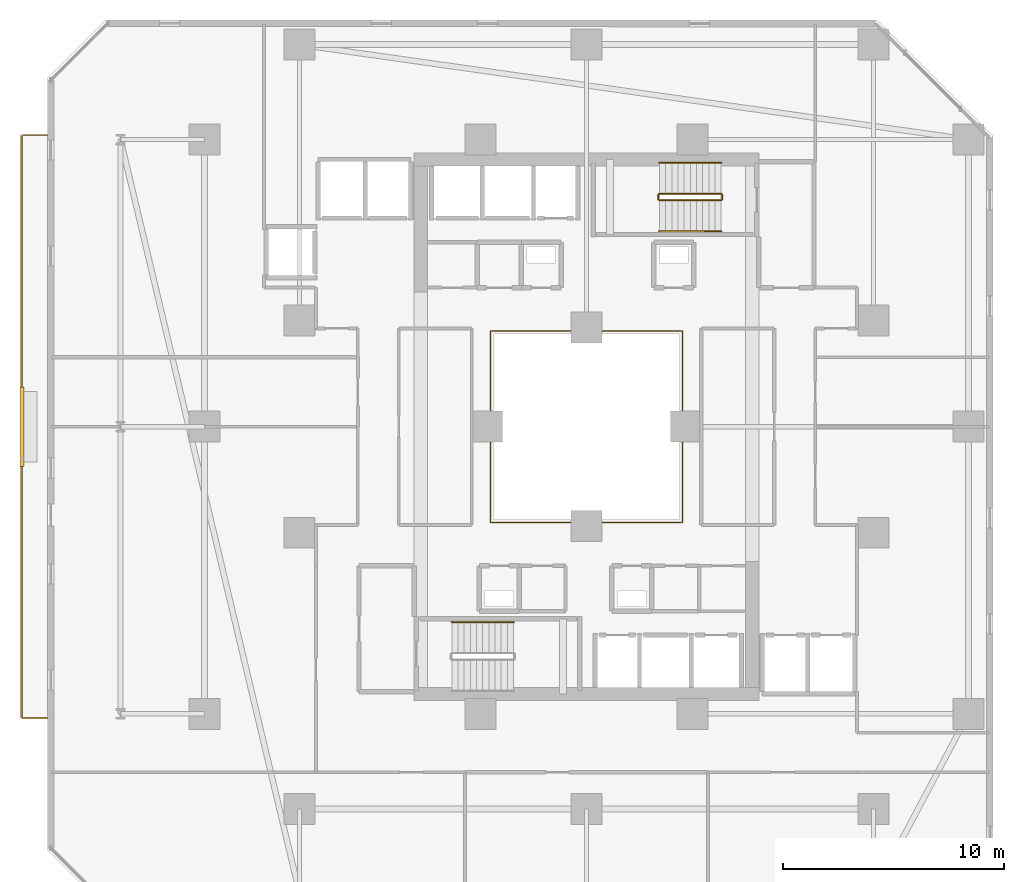
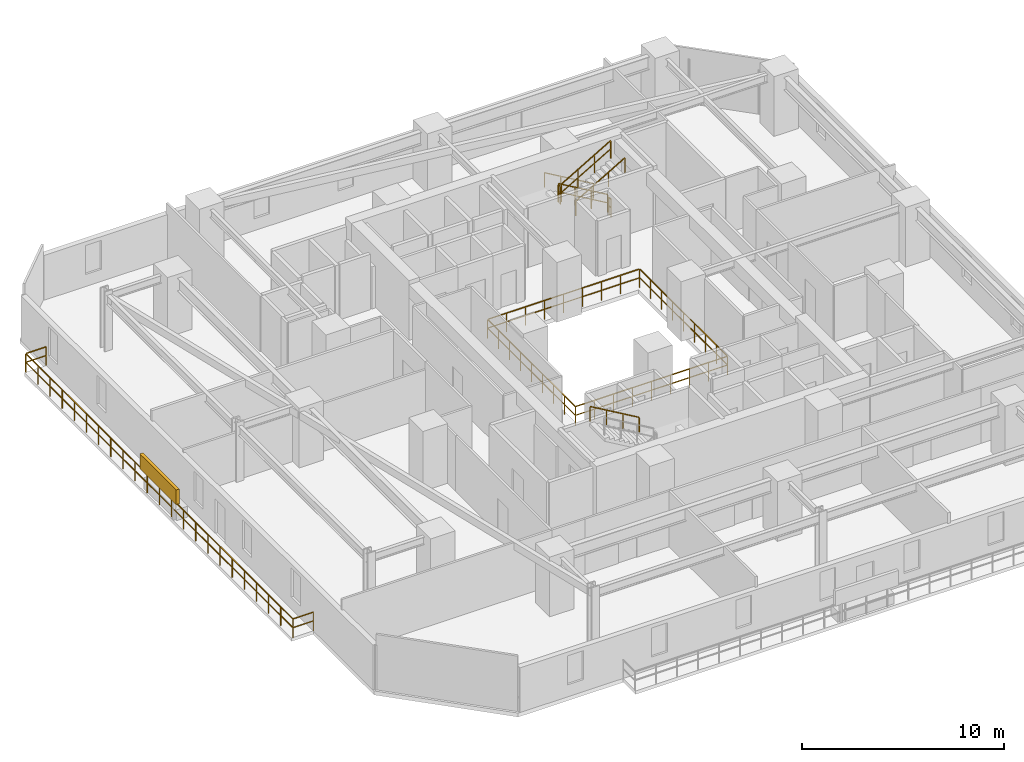
# One storey, part 30 of 33: 9 railings, 1 shading device.
"""IFC4 building model written with IfcOpenShell, lengths in metres."""

from ifc_helpers import new_model, si_unit, direction, frame, origin, origin_2d, place, context, subcontext, project, spatial, rectangle, extrude, material, type_object, element, save


model = new_model("IFC4")

# Units and contexts
model_context = context("Model", 3, precision=1e-05, world=origin(), true_north=direction((0.0, 1.0)))
body_context = subcontext(model_context, "Body", "Model", "MODEL_VIEW")
ifc_project = project(units=[si_unit("LENGTHUNIT", "METRE"), si_unit("AREAUNIT", "SQUARE_METRE"), si_unit("VOLUMEUNIT", "CUBIC_METRE"), si_unit("PLANEANGLEUNIT", "RADIAN"), si_unit("MASSUNIT", "GRAM", prefix="KILO")], contexts=[model_context])

# Site, building, storey
site_placement = place(None, origin())
site = spatial("IfcSite", under=ifc_project, at=site_placement, CompositionType="ELEMENT")
building_placement = place(site_placement, origin())
building = spatial("IfcBuilding", under=site, at=building_placement, Name="Thornwick Lancets Civic Towers", CompositionType="ELEMENT")
storey_placement = place(building_placement, frame((0.0, 0.0, 38.699951171875)))
storey = spatial("IfcBuildingStorey", under=building, at=storey_placement, Name="L09", CompositionType="ELEMENT", Elevation=38.699951171875)

# Railings
ifc_material_1 = material(Name="Laminated glass and bronze steel S355", Category="steel")
railing_type_1 = type_object("IfcRailingType", Name="RAIL_ATRIUM_GUARD", PredefinedType="BALUSTRADE", material=ifc_material_1)
railing_1_placement = place(storey_placement, frame((21.159912109375, 22.659912109375, 0.0)))
element("IfcRailing", 1, at=railing_1_placement, inside=storey, type_object=railing_type_1, Name="L09 Tower A Central Atrium Guard Balustrade", PredefinedType="BALUSTRADE", context=body_context, shape_type="SweptSolid", body=[
    extrude(rectangle(XDim=0.048095703125, YDim=0.048095703125, at=origin_2d()), frame((0.0, 0.0, 1.1259765625), z_axis=(1.0, 0.0, 0.0), x_axis=(0.0, 1.0, 0.0)), (0.0, 0.0, 1.0), 8.64892578125),
    extrude(rectangle(XDim=0.0419921875, YDim=0.0419921875, at=origin_2d()), frame((0.03759765625, 0.0, 0.597900390625), z_axis=(1.0, 0.0, 0.0), x_axis=(0.0, 1.0, 0.0)), (0.0, 0.0, 1.0), 1.010009765625),
    extrude(rectangle(XDim=0.0419921875, YDim=0.0419921875, at=origin_2d()), frame((1.12255859375, 0.0, 0.597900390625), z_axis=(1.0, 0.0, 0.0), x_axis=(0.0, 1.0, 0.0)), (0.0, 0.0, 1.0), 1.010009765625),
    extrude(rectangle(XDim=0.0419921875, YDim=0.0419921875, at=origin_2d()), frame((2.20751953125, 0.0, 0.597900390625), z_axis=(1.0, 0.0, 0.0), x_axis=(0.0, 1.0, 0.0)), (0.0, 0.0, 1.0), 1.010009765625),
    extrude(rectangle(XDim=0.0419921875, YDim=0.0419921875, at=origin_2d()), frame((3.29248046875, 0.0, 0.597900390625), z_axis=(1.0, 0.0, 0.0), x_axis=(0.0, 1.0, 0.0)), (0.0, 0.0, 1.0), 1.010009765625),
    extrude(rectangle(XDim=0.0419921875, YDim=0.0419921875, at=origin_2d()), frame((4.377685546875, 0.0, 0.597900390625), z_axis=(1.0, 0.0, 0.0), x_axis=(0.0, 1.0, 0.0)), (0.0, 0.0, 1.0), 1.010009765625),
    extrude(rectangle(XDim=0.0419921875, YDim=0.0419921875, at=origin_2d()), frame((5.462646484375, 0.0, 0.597900390625), z_axis=(1.0, 0.0, 0.0), x_axis=(0.0, 1.0, 0.0)), (0.0, 0.0, 1.0), 1.010009765625),
    extrude(rectangle(XDim=0.0419921875, YDim=0.0419921875, at=origin_2d()), frame((6.547607421875, 0.0, 0.597900390625), z_axis=(1.0, 0.0, 0.0), x_axis=(0.0, 1.0, 0.0)), (0.0, 0.0, 1.0), 1.010009765625),
    extrude(rectangle(XDim=0.0419921875, YDim=0.0419921875, at=origin_2d()), frame((7.632568359375, 0.0, 0.597900390625), z_axis=(1.0, 0.0, 0.0), x_axis=(0.0, 1.0, 0.0)), (0.0, 0.0, 1.0), 1.010009765625),
    extrude(rectangle(XDim=0.048095703125, YDim=0.048095703125, at=origin_2d()), frame((8.68017578125, 0.03125, 1.1259765625), z_axis=(0.0, 1.0, 0.0), x_axis=(-1.0, 0.0, 0.0)), (0.0, 0.0, 1.0), 8.61767578125),
    extrude(rectangle(XDim=0.0419921875, YDim=0.0419921875, at=origin_2d()), frame((8.68017578125, 0.03759765625, 0.597900390625), z_axis=(0.0, 1.0, 0.0), x_axis=(-1.0, 0.0, 0.0)), (0.0, 0.0, 1.0), 1.010009765625),
    extrude(rectangle(XDim=0.0419921875, YDim=0.0419921875, at=origin_2d()), frame((8.68017578125, 1.12255859375, 0.597900390625), z_axis=(0.0, 1.0, 0.0), x_axis=(-1.0, 0.0, 0.0)), (0.0, 0.0, 1.0), 1.010009765625),
    extrude(rectangle(XDim=0.0419921875, YDim=0.0419921875, at=origin_2d()), frame((8.68017578125, 2.20751953125, 0.597900390625), z_axis=(0.0, 1.0, 0.0), x_axis=(-1.0, 0.0, 0.0)), (0.0, 0.0, 1.0), 1.010009765625),
    extrude(rectangle(XDim=0.0419921875, YDim=0.0419921875, at=origin_2d()), frame((8.68017578125, 3.29248046875, 0.597900390625), z_axis=(0.0, 1.0, 0.0), x_axis=(-1.0, 0.0, 0.0)), (0.0, 0.0, 1.0), 1.010009765625),
    extrude(rectangle(XDim=0.0419921875, YDim=0.0419921875, at=origin_2d()), frame((8.68017578125, 4.377685546875, 0.597900390625), z_axis=(0.0, 1.0, 0.0), x_axis=(-1.0, 0.0, 0.0)), (0.0, 0.0, 1.0), 1.010009765625),
    extrude(rectangle(XDim=0.0419921875, YDim=0.0419921875, at=origin_2d()), frame((8.68017578125, 5.462646484375, 0.597900390625), z_axis=(0.0, 1.0, 0.0), x_axis=(-1.0, 0.0, 0.0)), (0.0, 0.0, 1.0), 1.010009765625),
    extrude(rectangle(XDim=0.0419921875, YDim=0.0419921875, at=origin_2d()), frame((8.68017578125, 6.547607421875, 0.597900390625), z_axis=(0.0, 1.0, 0.0), x_axis=(-1.0, 0.0, 0.0)), (0.0, 0.0, 1.0), 1.010009765625),
    extrude(rectangle(XDim=0.0419921875, YDim=0.0419921875, at=origin_2d()), frame((8.68017578125, 7.632568359375, 0.597900390625), z_axis=(0.0, 1.0, 0.0), x_axis=(-1.0, 0.0, 0.0)), (0.0, 0.0, 1.0), 1.010009765625),
    extrude(rectangle(XDim=0.048095703125, YDim=0.048095703125, at=origin_2d()), frame((8.64892578125, 8.68017578125, 1.1259765625), z_axis=(-1.0, 0.0, 0.0), x_axis=(0.0, -1.0, 0.0)), (0.0, 0.0, 1.0), 8.61767578125),
    extrude(rectangle(XDim=0.0419921875, YDim=0.0419921875, at=origin_2d()), frame((8.642578125, 8.68017578125, 0.597900390625), z_axis=(-1.0, 0.0, 0.0), x_axis=(0.0, -1.0, 0.0)), (0.0, 0.0, 1.0), 1.010009765625),
    extrude(rectangle(XDim=0.0419921875, YDim=0.0419921875, at=origin_2d()), frame((7.5576171875, 8.68017578125, 0.597900390625), z_axis=(-1.0, 0.0, 0.0), x_axis=(0.0, -1.0, 0.0)), (0.0, 0.0, 1.0), 1.010009765625),
    extrude(rectangle(XDim=0.0419921875, YDim=0.0419921875, at=origin_2d()), frame((6.47265625, 8.68017578125, 0.597900390625), z_axis=(-1.0, 0.0, 0.0), x_axis=(0.0, -1.0, 0.0)), (0.0, 0.0, 1.0), 1.010009765625),
    extrude(rectangle(XDim=0.0419921875, YDim=0.0419921875, at=origin_2d()), frame((5.3876953125, 8.68017578125, 0.597900390625), z_axis=(-1.0, 0.0, 0.0), x_axis=(0.0, -1.0, 0.0)), (0.0, 0.0, 1.0), 1.010009765625),
    extrude(rectangle(XDim=0.0419921875, YDim=0.0419921875, at=origin_2d()), frame((4.302490234375, 8.68017578125, 0.597900390625), z_axis=(-1.0, 0.0, 0.0), x_axis=(0.0, -1.0, 0.0)), (0.0, 0.0, 1.0), 1.010009765625),
    extrude(rectangle(XDim=0.0419921875, YDim=0.0419921875, at=origin_2d()), frame((3.217529296875, 8.68017578125, 0.597900390625), z_axis=(-1.0, 0.0, 0.0), x_axis=(0.0, -1.0, 0.0)), (0.0, 0.0, 1.0), 1.010009765625),
    extrude(rectangle(XDim=0.0419921875, YDim=0.0419921875, at=origin_2d()), frame((2.132568359375, 8.68017578125, 0.597900390625), z_axis=(-1.0, 0.0, 0.0), x_axis=(0.0, -1.0, 0.0)), (0.0, 0.0, 1.0), 1.010009765625),
    extrude(rectangle(XDim=0.0419921875, YDim=0.0419921875, at=origin_2d()), frame((1.047607421875, 8.68017578125, 0.597900390625), z_axis=(-1.0, 0.0, 0.0), x_axis=(0.0, -1.0, 0.0)), (0.0, 0.0, 1.0), 1.010009765625),
    extrude(rectangle(XDim=0.048095703125, YDim=0.048095703125, at=origin_2d()), frame((0.0, 8.64892578125, 1.1259765625), z_axis=(0.0, -1.0, 0.0), x_axis=(1.0, 0.0, 0.0)), (0.0, 0.0, 1.0), 8.64892578125),
    extrude(rectangle(XDim=0.0419921875, YDim=0.0419921875, at=origin_2d()), frame((0.0, 8.642578125, 0.597900390625), z_axis=(0.0, -1.0, 0.0), x_axis=(1.0, 0.0, 0.0)), (0.0, 0.0, 1.0), 1.010009765625),
    extrude(rectangle(XDim=0.0419921875, YDim=0.0419921875, at=origin_2d()), frame((0.0, 7.5576171875, 0.597900390625), z_axis=(0.0, -1.0, 0.0), x_axis=(1.0, 0.0, 0.0)), (0.0, 0.0, 1.0), 1.010009765625),
    extrude(rectangle(XDim=0.0419921875, YDim=0.0419921875, at=origin_2d()), frame((0.0, 6.47265625, 0.597900390625), z_axis=(0.0, -1.0, 0.0), x_axis=(1.0, 0.0, 0.0)), (0.0, 0.0, 1.0), 1.010009765625),
    extrude(rectangle(XDim=0.0419921875, YDim=0.0419921875, at=origin_2d()), frame((0.0, 5.3876953125, 0.597900390625), z_axis=(0.0, -1.0, 0.0), x_axis=(1.0, 0.0, 0.0)), (0.0, 0.0, 1.0), 1.010009765625),
    extrude(rectangle(XDim=0.0419921875, YDim=0.0419921875, at=origin_2d()), frame((0.0, 4.302490234375, 0.597900390625), z_axis=(0.0, -1.0, 0.0), x_axis=(1.0, 0.0, 0.0)), (0.0, 0.0, 1.0), 1.010009765625),
    extrude(rectangle(XDim=0.0419921875, YDim=0.0419921875, at=origin_2d()), frame((0.0, 3.217529296875, 0.597900390625), z_axis=(0.0, -1.0, 0.0), x_axis=(1.0, 0.0, 0.0)), (0.0, 0.0, 1.0), 1.010009765625),
    extrude(rectangle(XDim=0.0419921875, YDim=0.0419921875, at=origin_2d()), frame((0.0, 2.132568359375, 0.597900390625), z_axis=(0.0, -1.0, 0.0), x_axis=(1.0, 0.0, 0.0)), (0.0, 0.0, 1.0), 1.010009765625),
    extrude(rectangle(XDim=0.0419921875, YDim=0.0419921875, at=origin_2d()), frame((0.0, 1.047607421875, 0.597900390625), z_axis=(0.0, -1.0, 0.0), x_axis=(1.0, 0.0, 0.0)), (0.0, 0.0, 1.0), 1.010009765625),
    extrude(rectangle(XDim=0.0419921875, YDim=0.0419921875, at=origin_2d()), origin(), (0.0, 0.0, 1.0), 1.095703125),
    extrude(rectangle(XDim=0.0419921875, YDim=0.0419921875, at=origin_2d()), frame((1.0849609375, 0.0, 0.0)), (0.0, 0.0, 1.0), 1.095703125),
    extrude(rectangle(XDim=0.0419921875, YDim=0.0419921875, at=origin_2d()), frame((2.169921875, 0.0, 0.0)), (0.0, 0.0, 1.0), 1.095703125),
    extrude(rectangle(XDim=0.0419921875, YDim=0.0419921875, at=origin_2d()), frame((3.255126953125, 0.0, 0.0)), (0.0, 0.0, 1.0), 1.095703125),
    extrude(rectangle(XDim=0.0419921875, YDim=0.0419921875, at=origin_2d()), frame((4.340087890625, 0.0, 0.0)), (0.0, 0.0, 1.0), 1.095703125),
    extrude(rectangle(XDim=0.0419921875, YDim=0.0419921875, at=origin_2d()), frame((5.425048828125, 0.0, 0.0)), (0.0, 0.0, 1.0), 1.095703125),
    extrude(rectangle(XDim=0.0419921875, YDim=0.0419921875, at=origin_2d()), frame((6.51025390625, 0.0, 0.0)), (0.0, 0.0, 1.0), 1.095703125),
    extrude(rectangle(XDim=0.0419921875, YDim=0.0419921875, at=origin_2d()), frame((7.59521484375, 0.0, 0.0)), (0.0, 0.0, 1.0), 1.095703125),
    extrude(rectangle(XDim=0.0419921875, YDim=0.0419921875, at=origin_2d()), frame((8.68017578125, 0.0, 0.0)), (0.0, 0.0, 1.0), 1.095703125),
    extrude(rectangle(XDim=0.0419921875, YDim=0.0419921875, at=origin_2d()), frame((8.68017578125, 1.0849609375, 0.0)), (0.0, 0.0, 1.0), 1.095703125),
    extrude(rectangle(XDim=0.0419921875, YDim=0.0419921875, at=origin_2d()), frame((8.68017578125, 2.169921875, 0.0)), (0.0, 0.0, 1.0), 1.095703125),
    extrude(rectangle(XDim=0.0419921875, YDim=0.0419921875, at=origin_2d()), frame((8.68017578125, 3.255126953125, 0.0)), (0.0, 0.0, 1.0), 1.095703125),
    extrude(rectangle(XDim=0.0419921875, YDim=0.0419921875, at=origin_2d()), frame((8.68017578125, 4.340087890625, 0.0)), (0.0, 0.0, 1.0), 1.095703125),
    extrude(rectangle(XDim=0.0419921875, YDim=0.0419921875, at=origin_2d()), frame((8.68017578125, 5.425048828125, 0.0)), (0.0, 0.0, 1.0), 1.095703125),
    extrude(rectangle(XDim=0.0419921875, YDim=0.0419921875, at=origin_2d()), frame((8.68017578125, 6.51025390625, 0.0)), (0.0, 0.0, 1.0), 1.095703125),
    extrude(rectangle(XDim=0.0419921875, YDim=0.0419921875, at=origin_2d()), frame((8.68017578125, 7.59521484375, 0.0)), (0.0, 0.0, 1.0), 1.095703125),
    extrude(rectangle(XDim=0.0419921875, YDim=0.0419921875, at=origin_2d()), frame((8.68017578125, 8.68017578125, 0.0)), (0.0, 0.0, 1.0), 1.095703125),
    extrude(rectangle(XDim=0.0419921875, YDim=0.0419921875, at=origin_2d()), frame((7.59521484375, 8.68017578125, 0.0)), (0.0, 0.0, 1.0), 1.095703125),
    extrude(rectangle(XDim=0.0419921875, YDim=0.0419921875, at=origin_2d()), frame((6.51025390625, 8.68017578125, 0.0)), (0.0, 0.0, 1.0), 1.095703125),
    extrude(rectangle(XDim=0.0419921875, YDim=0.0419921875, at=origin_2d()), frame((5.425048828125, 8.68017578125, 0.0)), (0.0, 0.0, 1.0), 1.095703125),
    extrude(rectangle(XDim=0.0419921875, YDim=0.0419921875, at=origin_2d()), frame((4.340087890625, 8.68017578125, 0.0)), (0.0, 0.0, 1.0), 1.095703125),
    extrude(rectangle(XDim=0.0419921875, YDim=0.0419921875, at=origin_2d()), frame((3.255126953125, 8.68017578125, 0.0)), (0.0, 0.0, 1.0), 1.095703125),
    extrude(rectangle(XDim=0.0419921875, YDim=0.0419921875, at=origin_2d()), frame((2.169921875, 8.68017578125, 0.0)), (0.0, 0.0, 1.0), 1.095703125),
    extrude(rectangle(XDim=0.0419921875, YDim=0.0419921875, at=origin_2d()), frame((1.0849609375, 8.68017578125, 0.0)), (0.0, 0.0, 1.0), 1.095703125),
    extrude(rectangle(XDim=0.0419921875, YDim=0.0419921875, at=origin_2d()), frame((0.0, 8.68017578125, 0.0)), (0.0, 0.0, 1.0), 1.095703125),
    extrude(rectangle(XDim=0.0419921875, YDim=0.0419921875, at=origin_2d()), frame((0.0, 7.59521484375, 0.0)), (0.0, 0.0, 1.0), 1.095703125),
    extrude(rectangle(XDim=0.0419921875, YDim=0.0419921875, at=origin_2d()), frame((0.0, 6.51025390625, 0.0)), (0.0, 0.0, 1.0), 1.095703125),
    extrude(rectangle(XDim=0.0419921875, YDim=0.0419921875, at=origin_2d()), frame((0.0, 5.425048828125, 0.0)), (0.0, 0.0, 1.0), 1.095703125),
    extrude(rectangle(XDim=0.0419921875, YDim=0.0419921875, at=origin_2d()), frame((0.0, 4.340087890625, 0.0)), (0.0, 0.0, 1.0), 1.095703125),
    extrude(rectangle(XDim=0.0419921875, YDim=0.0419921875, at=origin_2d()), frame((0.0, 3.255126953125, 0.0)), (0.0, 0.0, 1.0), 1.095703125),
    extrude(rectangle(XDim=0.0419921875, YDim=0.0419921875, at=origin_2d()), frame((0.0, 2.169921875, 0.0)), (0.0, 0.0, 1.0), 1.095703125),
    extrude(rectangle(XDim=0.0419921875, YDim=0.0419921875, at=origin_2d()), frame((0.0, 1.0849609375, 0.0)), (0.0, 0.0, 1.0), 1.095703125),
])
ifc_material_2 = material(Name="Brushed stainless steel S355", Category="steel")
railing_type_2 = type_object("IfcRailingType", Name="RAIL_HANDRAIL", PredefinedType="HANDRAIL", material=ifc_material_2)
for number, where, name in (
    (2, (22.199951171875, 18.14990234375, 1.963623046875), "L09 ST-A1 stair handrail 2"),
    (3, (31.60009765625, 38.949951171875, 0.16357421875), "L09 ST-A2 stair handrail 1"),
):
    element("IfcRailing", number, at=place(storey_placement, frame(where)), inside=storey, type_object=railing_type_2, Name=name, PredefinedType="HANDRAIL", context=body_context, shape_type="SweptSolid", body=[
        extrude(rectangle(XDim=0.048095703125, YDim=0.048095703125, at=origin_2d()), frame((0.0, 0.0, 0.8857421875), z_axis=(-0.863360870873, 0.0, 0.504586966384), x_axis=(0.0, -1.0, 0.0)), (0.0, 0.0, 1.0), 3.2431640625),
        extrude(rectangle(XDim=0.0419921875, YDim=0.0419921875, at=origin_2d()), origin(), (0.0, 0.0, 1.0), 0.855712890625),
        extrude(rectangle(XDim=0.0419921875, YDim=0.0419921875, at=origin_2d()), frame((-0.933349609375, 0.0, 0.54541015625)), (0.0, 0.0, 1.0), 0.855712890625),
        extrude(rectangle(XDim=0.0419921875, YDim=0.0419921875, at=origin_2d()), frame((-1.86669921875, 0.0, 1.091064453125)), (0.0, 0.0, 1.0), 0.855712890625),
        extrude(rectangle(XDim=0.0419921875, YDim=0.0419921875, at=origin_2d()), frame((-2.800048828125, 0.0, 1.636474609375)), (0.0, 0.0, 1.0), 0.855712890625),
    ])
railing_2_placement = place(storey_placement, frame((28.800048828125, 35.85009765625, 1.963623046875)))
element("IfcRailing", 4, at=railing_2_placement, inside=storey, type_object=railing_type_2, Name="L09 ST-A2 stair handrail 2", PredefinedType="HANDRAIL", context=body_context, shape_type="SweptSolid", body=[
    extrude(rectangle(XDim=0.048095703125, YDim=0.048095703125, at=origin_2d()), frame((0.0, 0.0, 0.8857421875), z_axis=(0.863360870873, 0.0, 0.504586966384), x_axis=(0.0, 1.0, 0.0)), (0.0, 0.0, 1.0), 3.2431640625),
    extrude(rectangle(XDim=0.0419921875, YDim=0.0419921875, at=origin_2d()), origin(), (0.0, 0.0, 1.0), 0.855712890625),
    extrude(rectangle(XDim=0.0419921875, YDim=0.0419921875, at=origin_2d()), frame((0.933349609375, 0.0, 0.54541015625)), (0.0, 0.0, 1.0), 0.855712890625),
    extrude(rectangle(XDim=0.0419921875, YDim=0.0419921875, at=origin_2d()), frame((1.86669921875, 0.0, 1.091064453125)), (0.0, 0.0, 1.0), 0.855712890625),
    extrude(rectangle(XDim=0.0419921875, YDim=0.0419921875, at=origin_2d()), frame((2.800048828125, 0.0, 1.636474609375)), (0.0, 0.0, 1.0), 0.855712890625),
])
ifc_material_3 = material(Name="Steel S355JR", Category="steel")
railing_type_3 = type_object("IfcRailingType", Name="RAIL_STAIR_GUARD", PredefinedType="GUARDRAIL", material=ifc_material_3)
railing_3_placement = place(storey_placement, frame((31.60009765625, 37.550048828125, 0.16357421875)))
element("IfcRailing", 5, at=railing_3_placement, inside=storey, type_object=railing_type_3, Name="L09 ST-A2 stair guard 1", PredefinedType="GUARDRAIL", context=body_context, shape_type="SweptSolid", body=[
    extrude(rectangle(XDim=0.048095703125, YDim=0.048095703125, at=origin_2d()), frame((0.0, 0.0, 1.076171875), z_axis=(-0.863360870873, 0.0, 0.504586966384), x_axis=(0.0, -1.0, 0.0)), (0.0, 0.0, 1.0), 3.2431640625),
    extrude(rectangle(XDim=0.0419921875, YDim=0.0419921875, at=origin_2d()), frame((-0.032470703125, 0.0, 0.591064453125), z_axis=(-0.863360870873, 0.0, 0.504586966384), x_axis=(0.0, -1.0, 0.0)), (0.0, 0.0, 1.0), 1.006103515625),
    extrude(rectangle(XDim=0.0419921875, YDim=0.0419921875, at=origin_2d()), frame((-0.9658203125, 0.0, 1.136474609375), z_axis=(-0.863360870873, 0.0, 0.504586966384), x_axis=(0.0, -1.0, 0.0)), (0.0, 0.0, 1.0), 1.006103515625),
    extrude(rectangle(XDim=0.0419921875, YDim=0.0419921875, at=origin_2d()), frame((-1.899169921875, 0.0, 1.681884765625), z_axis=(-0.863360870873, 0.0, 0.504586966384), x_axis=(0.0, -1.0, 0.0)), (0.0, 0.0, 1.0), 1.006103515625),
    extrude(rectangle(XDim=0.0419921875, YDim=0.0419921875, at=origin_2d()), origin(), (0.0, 0.0, 1.0), 1.0458984375),
    extrude(rectangle(XDim=0.0419921875, YDim=0.0419921875, at=origin_2d()), frame((-0.933349609375, 0.0, 0.54541015625)), (0.0, 0.0, 1.0), 1.0458984375),
    extrude(rectangle(XDim=0.0419921875, YDim=0.0419921875, at=origin_2d()), frame((-1.86669921875, 0.0, 1.091064453125)), (0.0, 0.0, 1.0), 1.0458984375),
    extrude(rectangle(XDim=0.0419921875, YDim=0.0419921875, at=origin_2d()), frame((-2.800048828125, 0.0, 1.636474609375)), (0.0, 0.0, 1.0), 1.0458984375),
])
railing_4_placement = place(storey_placement, frame((28.75, 37.5, 1.800048828125)))
element("IfcRailing", 6, at=railing_4_placement, inside=storey, type_object=railing_type_3, Name="L09 ST-A2 stair guard 2", PredefinedType="GUARDRAIL", context=body_context, shape_type="SweptSolid", body=[
    extrude(rectangle(XDim=0.048095703125, YDim=0.048095703125, at=origin_2d()), frame((0.0, 0.0, 1.076171875), z_axis=(0.0, -1.0, 0.0), x_axis=(1.0, 0.0, 0.0)), (0.0, 0.0, 1.0), 0.199951171875),
    extrude(rectangle(XDim=0.0419921875, YDim=0.0419921875, at=origin_2d()), frame((0.0, -0.03759765625, 0.572021484375), z_axis=(0.0, -1.0, 0.0), x_axis=(1.0, 0.0, 0.0)), (0.0, 0.0, 1.0), 0.125),
    extrude(rectangle(XDim=0.0419921875, YDim=0.0419921875, at=origin_2d()), origin(), (0.0, 0.0, 1.0), 1.0458984375),
    extrude(rectangle(XDim=0.0419921875, YDim=0.0419921875, at=origin_2d()), frame((0.0, -0.199951171875, 0.0)), (0.0, 0.0, 1.0), 1.0458984375),
])
railing_5_placement = place(storey_placement, frame((28.800048828125, 37.25, 1.963623046875)))
element("IfcRailing", 7, at=railing_5_placement, inside=storey, type_object=railing_type_3, Name="L09 ST-A2 stair guard 3", PredefinedType="GUARDRAIL", context=body_context, shape_type="SweptSolid", body=[
    extrude(rectangle(XDim=0.048095703125, YDim=0.048095703125, at=origin_2d()), frame((0.0, 0.0, 1.076171875), z_axis=(0.863360870873, 0.0, 0.504586966384), x_axis=(0.0, 1.0, 0.0)), (0.0, 0.0, 1.0), 3.2431640625),
    extrude(rectangle(XDim=0.0419921875, YDim=0.0419921875, at=origin_2d()), frame((0.032470703125, 0.0, 0.591064453125), z_axis=(0.863360870873, 0.0, 0.504586966384), x_axis=(0.0, 1.0, 0.0)), (0.0, 0.0, 1.0), 1.006103515625),
    extrude(rectangle(XDim=0.0419921875, YDim=0.0419921875, at=origin_2d()), frame((0.9658203125, 0.0, 1.136474609375), z_axis=(0.863360870873, 0.0, 0.504586966384), x_axis=(0.0, 1.0, 0.0)), (0.0, 0.0, 1.0), 1.006103515625),
    extrude(rectangle(XDim=0.0419921875, YDim=0.0419921875, at=origin_2d()), frame((1.899169921875, 0.0, 1.681884765625), z_axis=(0.863360870873, 0.0, 0.504586966384), x_axis=(0.0, 1.0, 0.0)), (0.0, 0.0, 1.0), 1.006103515625),
    extrude(rectangle(XDim=0.0419921875, YDim=0.0419921875, at=origin_2d()), origin(), (0.0, 0.0, 1.0), 1.0458984375),
    extrude(rectangle(XDim=0.0419921875, YDim=0.0419921875, at=origin_2d()), frame((0.933349609375, 0.0, 0.54541015625)), (0.0, 0.0, 1.0), 1.0458984375),
    extrude(rectangle(XDim=0.0419921875, YDim=0.0419921875, at=origin_2d()), frame((1.86669921875, 0.0, 1.091064453125)), (0.0, 0.0, 1.0), 1.0458984375),
    extrude(rectangle(XDim=0.0419921875, YDim=0.0419921875, at=origin_2d()), frame((2.800048828125, 0.0, 1.636474609375)), (0.0, 0.0, 1.0), 1.0458984375),
])
railing_6_placement = place(storey_placement, frame((31.64990234375, 37.5, 0.0)))
element("IfcRailing", 8, at=railing_6_placement, inside=storey, type_object=railing_type_3, Name="L09 ST-A2 stair guard 4", PredefinedType="GUARDRAIL", context=body_context, shape_type="SweptSolid", body=[
    extrude(rectangle(XDim=0.048095703125, YDim=0.048095703125, at=origin_2d()), frame((0.0, 0.0, 1.076171875), z_axis=(0.0, -1.0, 0.0), x_axis=(1.0, 0.0, 0.0)), (0.0, 0.0, 1.0), 0.199951171875),
    extrude(rectangle(XDim=0.0419921875, YDim=0.0419921875, at=origin_2d()), frame((0.0, -0.03759765625, 0.572021484375), z_axis=(0.0, -1.0, 0.0), x_axis=(1.0, 0.0, 0.0)), (0.0, 0.0, 1.0), 0.125),
    extrude(rectangle(XDim=0.0419921875, YDim=0.0419921875, at=origin_2d()), origin(), (0.0, 0.0, 1.0), 1.0458984375),
    extrude(rectangle(XDim=0.0419921875, YDim=0.0419921875, at=origin_2d()), frame((0.0, -0.199951171875, 0.0)), (0.0, 0.0, 1.0), 1.0458984375),
])
ifc_material_4 = material(Name="Terracotta-capped laminated glass balustrade S355", Category="masonry")
railing_type_4 = type_object("IfcRailingType", Name="RAIL_TERR_GUARD", PredefinedType="GUARDRAIL", material=ifc_material_4)
railing_7_placement = place(storey_placement, frame((1.10009765625, 13.800048828125, 0.0)))
element("IfcRailing", 9, at=railing_7_placement, inside=storey, type_object=railing_type_4, Name="L09 Tower A Balcony Guard W", PredefinedType="GUARDRAIL", context=body_context, shape_type="SweptSolid", body=[
    extrude(rectangle(XDim=0.048095703125, YDim=0.048095703125, at=origin_2d()), frame((0.0, 0.0, 1.1259765625), z_axis=(-1.0, 0.0, 0.0), x_axis=(0.0, -1.0, 0.0)), (0.0, 0.0, 1.0), 1.138916015625),
    extrude(rectangle(XDim=0.0419921875, YDim=0.0419921875, at=origin_2d()), frame((-0.03759765625, 0.0, 0.597900390625), z_axis=(-1.0, 0.0, 0.0), x_axis=(0.0, -1.0, 0.0)), (0.0, 0.0, 1.0), 1.09521484375),
    extrude(rectangle(XDim=0.048095703125, YDim=0.048095703125, at=origin_2d()), frame((-1.170166015625, 0.03125, 1.1259765625), z_axis=(0.0, 1.0, 0.0), x_axis=(-1.0, 0.0, 0.0)), (0.0, 0.0, 1.0), 26.33740234375),
    extrude(rectangle(XDim=0.0419921875, YDim=0.0419921875, at=origin_2d()), frame((-1.170166015625, 0.03759765625, 0.597900390625), z_axis=(0.0, 1.0, 0.0), x_axis=(-1.0, 0.0, 0.0)), (0.0, 0.0, 1.0), 1.125),
    extrude(rectangle(XDim=0.0419921875, YDim=0.0419921875, at=origin_2d()), frame((-1.170166015625, 1.237548828125, 0.597900390625), z_axis=(0.0, 1.0, 0.0), x_axis=(-1.0, 0.0, 0.0)), (0.0, 0.0, 1.0), 1.125),
    extrude(rectangle(XDim=0.0419921875, YDim=0.0419921875, at=origin_2d()), frame((-1.170166015625, 2.4375, 0.597900390625), z_axis=(0.0, 1.0, 0.0), x_axis=(-1.0, 0.0, 0.0)), (0.0, 0.0, 1.0), 1.125),
    extrude(rectangle(XDim=0.0419921875, YDim=0.0419921875, at=origin_2d()), frame((-1.170166015625, 3.637451171875, 0.597900390625), z_axis=(0.0, 1.0, 0.0), x_axis=(-1.0, 0.0, 0.0)), (0.0, 0.0, 1.0), 1.125),
    extrude(rectangle(XDim=0.0419921875, YDim=0.0419921875, at=origin_2d()), frame((-1.170166015625, 4.83740234375, 0.597900390625), z_axis=(0.0, 1.0, 0.0), x_axis=(-1.0, 0.0, 0.0)), (0.0, 0.0, 1.0), 1.125),
    extrude(rectangle(XDim=0.0419921875, YDim=0.0419921875, at=origin_2d()), frame((-1.170166015625, 6.037353515625, 0.597900390625), z_axis=(0.0, 1.0, 0.0), x_axis=(-1.0, 0.0, 0.0)), (0.0, 0.0, 1.0), 1.125),
    extrude(rectangle(XDim=0.0419921875, YDim=0.0419921875, at=origin_2d()), frame((-1.170166015625, 7.237548828125, 0.597900390625), z_axis=(0.0, 1.0, 0.0), x_axis=(-1.0, 0.0, 0.0)), (0.0, 0.0, 1.0), 1.125),
    extrude(rectangle(XDim=0.0419921875, YDim=0.0419921875, at=origin_2d()), frame((-1.170166015625, 8.4375, 0.597900390625), z_axis=(0.0, 1.0, 0.0), x_axis=(-1.0, 0.0, 0.0)), (0.0, 0.0, 1.0), 1.125),
    extrude(rectangle(XDim=0.0419921875, YDim=0.0419921875, at=origin_2d()), frame((-1.170166015625, 9.637451171875, 0.597900390625), z_axis=(0.0, 1.0, 0.0), x_axis=(-1.0, 0.0, 0.0)), (0.0, 0.0, 1.0), 1.125),
    extrude(rectangle(XDim=0.0419921875, YDim=0.0419921875, at=origin_2d()), frame((-1.170166015625, 10.83740234375, 0.597900390625), z_axis=(0.0, 1.0, 0.0), x_axis=(-1.0, 0.0, 0.0)), (0.0, 0.0, 1.0), 1.125),
    extrude(rectangle(XDim=0.0419921875, YDim=0.0419921875, at=origin_2d()), frame((-1.170166015625, 12.037353515625, 0.597900390625), z_axis=(0.0, 1.0, 0.0), x_axis=(-1.0, 0.0, 0.0)), (0.0, 0.0, 1.0), 1.125),
    extrude(rectangle(XDim=0.0419921875, YDim=0.0419921875, at=origin_2d()), frame((-1.170166015625, 13.237548828125, 0.597900390625), z_axis=(0.0, 1.0, 0.0), x_axis=(-1.0, 0.0, 0.0)), (0.0, 0.0, 1.0), 1.125),
    extrude(rectangle(XDim=0.0419921875, YDim=0.0419921875, at=origin_2d()), frame((-1.170166015625, 14.4375, 0.597900390625), z_axis=(0.0, 1.0, 0.0), x_axis=(-1.0, 0.0, 0.0)), (0.0, 0.0, 1.0), 1.125),
    extrude(rectangle(XDim=0.0419921875, YDim=0.0419921875, at=origin_2d()), frame((-1.170166015625, 15.637451171875, 0.597900390625), z_axis=(0.0, 1.0, 0.0), x_axis=(-1.0, 0.0, 0.0)), (0.0, 0.0, 1.0), 1.125),
    extrude(rectangle(XDim=0.0419921875, YDim=0.0419921875, at=origin_2d()), frame((-1.170166015625, 16.83740234375, 0.597900390625), z_axis=(0.0, 1.0, 0.0), x_axis=(-1.0, 0.0, 0.0)), (0.0, 0.0, 1.0), 1.125),
    extrude(rectangle(XDim=0.0419921875, YDim=0.0419921875, at=origin_2d()), frame((-1.170166015625, 18.037353515625, 0.597900390625), z_axis=(0.0, 1.0, 0.0), x_axis=(-1.0, 0.0, 0.0)), (0.0, 0.0, 1.0), 1.125),
    extrude(rectangle(XDim=0.0419921875, YDim=0.0419921875, at=origin_2d()), frame((-1.170166015625, 19.2373046875, 0.597900390625), z_axis=(0.0, 1.0, 0.0), x_axis=(-1.0, 0.0, 0.0)), (0.0, 0.0, 1.0), 1.125),
    extrude(rectangle(XDim=0.0419921875, YDim=0.0419921875, at=origin_2d()), frame((-1.170166015625, 20.4375, 0.597900390625), z_axis=(0.0, 1.0, 0.0), x_axis=(-1.0, 0.0, 0.0)), (0.0, 0.0, 1.0), 1.125),
    extrude(rectangle(XDim=0.0419921875, YDim=0.0419921875, at=origin_2d()), frame((-1.170166015625, 21.637451171875, 0.597900390625), z_axis=(0.0, 1.0, 0.0), x_axis=(-1.0, 0.0, 0.0)), (0.0, 0.0, 1.0), 1.125),
    extrude(rectangle(XDim=0.0419921875, YDim=0.0419921875, at=origin_2d()), frame((-1.170166015625, 22.83740234375, 0.597900390625), z_axis=(0.0, 1.0, 0.0), x_axis=(-1.0, 0.0, 0.0)), (0.0, 0.0, 1.0), 1.125),
    extrude(rectangle(XDim=0.0419921875, YDim=0.0419921875, at=origin_2d()), frame((-1.170166015625, 24.037353515625, 0.597900390625), z_axis=(0.0, 1.0, 0.0), x_axis=(-1.0, 0.0, 0.0)), (0.0, 0.0, 1.0), 1.125),
    extrude(rectangle(XDim=0.0419921875, YDim=0.0419921875, at=origin_2d()), frame((-1.170166015625, 25.2373046875, 0.597900390625), z_axis=(0.0, 1.0, 0.0), x_axis=(-1.0, 0.0, 0.0)), (0.0, 0.0, 1.0), 1.125),
    extrude(rectangle(XDim=0.048095703125, YDim=0.048095703125, at=origin_2d()), frame((-1.138916015625, 26.39990234375, 1.1259765625), z_axis=(1.0, 0.0, 0.0), x_axis=(0.0, 1.0, 0.0)), (0.0, 0.0, 1.0), 1.138916015625),
    extrude(rectangle(XDim=0.0419921875, YDim=0.0419921875, at=origin_2d()), frame((-1.132568359375, 26.39990234375, 0.597900390625), z_axis=(1.0, 0.0, 0.0), x_axis=(0.0, 1.0, 0.0)), (0.0, 0.0, 1.0), 1.09521484375),
    extrude(rectangle(XDim=0.0419921875, YDim=0.0419921875, at=origin_2d()), origin(), (0.0, 0.0, 1.0), 1.095703125),
    extrude(rectangle(XDim=0.0419921875, YDim=0.0419921875, at=origin_2d()), frame((-1.170166015625, 0.0, 0.0)), (0.0, 0.0, 1.0), 1.095703125),
    extrude(rectangle(XDim=0.0419921875, YDim=0.0419921875, at=origin_2d()), frame((-1.170166015625, 1.199951171875, 0.0)), (0.0, 0.0, 1.0), 1.095703125),
    extrude(rectangle(XDim=0.0419921875, YDim=0.0419921875, at=origin_2d()), frame((-1.170166015625, 2.39990234375, 0.0)), (0.0, 0.0, 1.0), 1.095703125),
    extrude(rectangle(XDim=0.0419921875, YDim=0.0419921875, at=origin_2d()), frame((-1.170166015625, 3.60009765625, 0.0)), (0.0, 0.0, 1.0), 1.095703125),
    extrude(rectangle(XDim=0.0419921875, YDim=0.0419921875, at=origin_2d()), frame((-1.170166015625, 4.800048828125, 0.0)), (0.0, 0.0, 1.0), 1.095703125),
    extrude(rectangle(XDim=0.0419921875, YDim=0.0419921875, at=origin_2d()), frame((-1.170166015625, 6.0, 0.0)), (0.0, 0.0, 1.0), 1.095703125),
    extrude(rectangle(XDim=0.0419921875, YDim=0.0419921875, at=origin_2d()), frame((-1.170166015625, 7.199951171875, 0.0)), (0.0, 0.0, 1.0), 1.095703125),
    extrude(rectangle(XDim=0.0419921875, YDim=0.0419921875, at=origin_2d()), frame((-1.170166015625, 8.39990234375, 0.0)), (0.0, 0.0, 1.0), 1.095703125),
    extrude(rectangle(XDim=0.0419921875, YDim=0.0419921875, at=origin_2d()), frame((-1.170166015625, 9.599853515625, 0.0)), (0.0, 0.0, 1.0), 1.095703125),
    extrude(rectangle(XDim=0.0419921875, YDim=0.0419921875, at=origin_2d()), frame((-1.170166015625, 10.800048828125, 0.0)), (0.0, 0.0, 1.0), 1.095703125),
    extrude(rectangle(XDim=0.0419921875, YDim=0.0419921875, at=origin_2d()), frame((-1.170166015625, 12.0, 0.0)), (0.0, 0.0, 1.0), 1.095703125),
    extrude(rectangle(XDim=0.0419921875, YDim=0.0419921875, at=origin_2d()), frame((-1.170166015625, 13.199951171875, 0.0)), (0.0, 0.0, 1.0), 1.095703125),
    extrude(rectangle(XDim=0.0419921875, YDim=0.0419921875, at=origin_2d()), frame((-1.170166015625, 14.39990234375, 0.0)), (0.0, 0.0, 1.0), 1.095703125),
    extrude(rectangle(XDim=0.0419921875, YDim=0.0419921875, at=origin_2d()), frame((-1.170166015625, 15.599853515625, 0.0)), (0.0, 0.0, 1.0), 1.095703125),
    extrude(rectangle(XDim=0.0419921875, YDim=0.0419921875, at=origin_2d()), frame((-1.170166015625, 16.800048828125, 0.0)), (0.0, 0.0, 1.0), 1.095703125),
    extrude(rectangle(XDim=0.0419921875, YDim=0.0419921875, at=origin_2d()), frame((-1.170166015625, 18.0, 0.0)), (0.0, 0.0, 1.0), 1.095703125),
    extrude(rectangle(XDim=0.0419921875, YDim=0.0419921875, at=origin_2d()), frame((-1.170166015625, 19.199951171875, 0.0)), (0.0, 0.0, 1.0), 1.095703125),
    extrude(rectangle(XDim=0.0419921875, YDim=0.0419921875, at=origin_2d()), frame((-1.170166015625, 20.39990234375, 0.0)), (0.0, 0.0, 1.0), 1.095703125),
    extrude(rectangle(XDim=0.0419921875, YDim=0.0419921875, at=origin_2d()), frame((-1.170166015625, 21.599853515625, 0.0)), (0.0, 0.0, 1.0), 1.095703125),
    extrude(rectangle(XDim=0.0419921875, YDim=0.0419921875, at=origin_2d()), frame((-1.170166015625, 22.7998046875, 0.0)), (0.0, 0.0, 1.0), 1.095703125),
    extrude(rectangle(XDim=0.0419921875, YDim=0.0419921875, at=origin_2d()), frame((-1.170166015625, 24.0, 0.0)), (0.0, 0.0, 1.0), 1.095703125),
    extrude(rectangle(XDim=0.0419921875, YDim=0.0419921875, at=origin_2d()), frame((-1.170166015625, 25.199951171875, 0.0)), (0.0, 0.0, 1.0), 1.095703125),
    extrude(rectangle(XDim=0.0419921875, YDim=0.0419921875, at=origin_2d()), frame((-1.170166015625, 26.39990234375, 0.0)), (0.0, 0.0, 1.0), 1.095703125),
    extrude(rectangle(XDim=0.0419921875, YDim=0.0419921875, at=origin_2d()), frame((0.0, 26.39990234375, 0.0)), (0.0, 0.0, 1.0), 1.095703125),
])

# Shading device
ifc_material_5 = material(Name="Extruded terracotta baguette solar screen", Category="masonry")
shading_device_type = type_object("IfcShadingDeviceType", Name="SHADE_BAGUETTE", PredefinedType="JALOUSIE", material=ifc_material_5)
shading_device_placement = place(storey_placement, frame((-0.06005859375, 27.0, 1.1201171875), z_axis=(0.0, 0.0, 1.0), x_axis=(0.0, 1.0, 0.0)))
element("IfcShadingDevice", 10, at=shading_device_placement, inside=storey, type_object=shading_device_type, Name="L09 Tower A Terracotta Baguette Screen W", PredefinedType="JALOUSIE", context=body_context, shape_type="SweptSolid", body=[
    extrude(rectangle(XDim=3.60009765625, YDim=0.179931640625, at=origin_2d()), origin(), (0.0, 0.0, 1.0), 0.89990234375),
])

save(model, "model.ifc")
